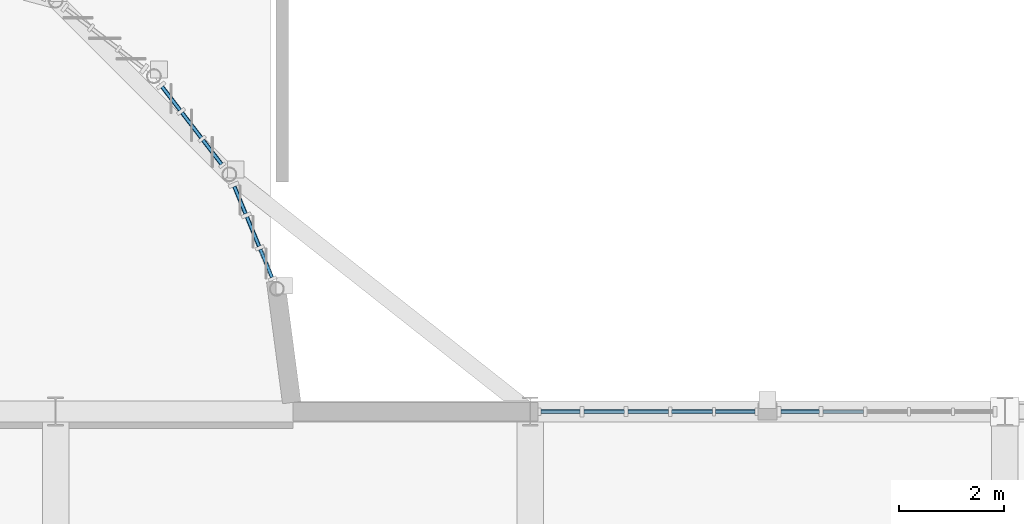
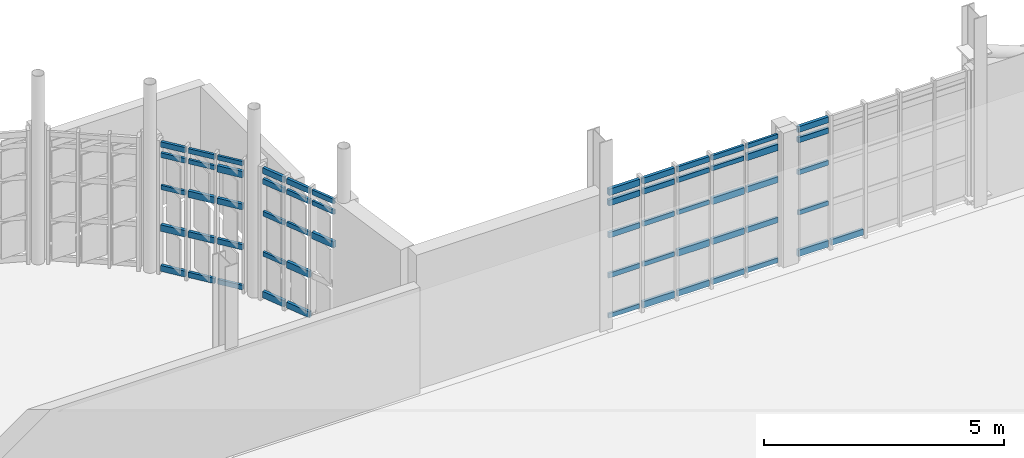
# One storey, part 72 of 128: 59 members, 4 elements without a shape of their own.
"""IFC4 building model written with IfcOpenShell, lengths in metres."""

from ifc_helpers import new_model, si_unit, direction, frame, origin, origin_2d, place, context, subcontext, project, spatial, rectangle, extrude, material, material_profile, profile_set, type_object, element, aggregate, save


model = new_model("IFC4")

# Units and contexts
model_context = context("Model", 3, precision=1e-05, world=origin(), true_north=direction((0.0, 1.0)))
body_context = subcontext(model_context, "Body", "Model", "MODEL_VIEW")
ifc_project = project(units=[si_unit("LENGTHUNIT", "METRE"), si_unit("AREAUNIT", "SQUARE_METRE"), si_unit("VOLUMEUNIT", "CUBIC_METRE"), si_unit("PLANEANGLEUNIT", "RADIAN"), si_unit("MASSUNIT", "GRAM", prefix="KILO")], contexts=[model_context])

# Site, building, storey
site_placement = place(None, origin())
site = spatial("IfcSite", under=ifc_project, at=site_placement, CompositionType="ELEMENT")
building_placement = place(site_placement, origin())
building = spatial("IfcBuilding", under=site, at=building_placement, Name="Serraforn Aerial Cableway Station", CompositionType="ELEMENT")
storey_placement = place(building_placement, frame((0.0, 0.0, 9.0)))
storey = spatial("IfcBuildingStorey", under=building, at=storey_placement, Name="L02", CompositionType="ELEMENT", Elevation=9.0)

# Curtain wall, member
ifc_material_1 = material(Name="Anodised bronze unitised curtain wall")
curtain_wall_type_1 = type_object("IfcCurtainWallType", Name="CW-SYS-25", PredefinedType="USERDEFINED", material=ifc_material_1)
curtain_wall_1_placement = place(storey_placement, origin())
curtain_wall_1 = element("IfcCurtainWall", 1, at=curtain_wall_1_placement, inside=storey, type_object=curtain_wall_type_1, Name="Unitised Curtain Wall CW-CV-L02-N6A", ObjectType="UNITISED CURTAIN WALL", PredefinedType="USERDEFINED")
ifc_material_2 = material(Name="Anodised bronze extruded aluminium", Category="aluminium")
ifc_material_profile_1 = material_profile(ifc_material_2, rectangle(XDim=0.054931640625, YDim=0.110107421875, at=origin_2d()), Name="CW TRANSOM 55x110")
ifc_profile_set_1 = profile_set([ifc_material_profile_1], Name="Anodised bronze extruded aluminium")
member_type_1 = type_object("IfcMemberType", Name="CW-TRN-1", PredefinedType="USERDEFINED", material=ifc_profile_set_1)
member_1_placement = place(storey_placement, frame((78.081298828125, 42.0, 1.162841796875), z_axis=(-1.0, 0.0, 0.0), x_axis=(0.0, -1.0, 0.0)))
member_1 = element("IfcMember", 2, at=member_1_placement, type_object=member_type_1, Name="Curtain Wall Transom CW-CV-L02-N6A-T5-2", ObjectType="TRANSOM", PredefinedType="USERDEFINED", context=body_context, shape_type="SweptSolid", body=[
    extrude(rectangle(XDim=0.054931640625, YDim=0.110107421875, at=origin_2d()), origin(), (0.0, 0.0, 1.0), 0.728271484375),
])

# Curtain wall, members
curtain_wall_type_2 = type_object("IfcCurtainWallType", Name="CW-SYS-26", PredefinedType="USERDEFINED", material=ifc_material_1)
curtain_wall_2_placement = place(storey_placement, origin())
curtain_wall_2 = element("IfcCurtainWall", 3, at=curtain_wall_2_placement, inside=storey, type_object=curtain_wall_type_2, Name="Unitised Curtain Wall CW-CV-L02-N6B", ObjectType="UNITISED CURTAIN WALL", PredefinedType="USERDEFINED")
member_2_placement = place(storey_placement, frame((76.866943359375, 42.0, 3.283203125), z_axis=(-1.0, 0.0, 0.0), x_axis=(0.0, -1.0, 0.0)))
member_2 = element("IfcMember", 4, at=member_2_placement, type_object=member_type_1, Name="Curtain Wall Transom CW-CV-L02-N6B-T1-5", ObjectType="TRANSOM", PredefinedType="USERDEFINED", context=body_context, shape_type="SweptSolid", body=[
    extrude(rectangle(XDim=0.054931640625, YDim=0.110107421875, at=origin_2d()), origin(), (0.0, 0.0, 1.0), 0.75341796875),
])
member_3_placement = place(storey_placement, frame((76.0576171875, 42.0, 3.009521484375), z_axis=(-1.0, 0.0, 0.0), x_axis=(0.0, -1.0, 0.0)))
member_3 = element("IfcMember", 5, at=member_3_placement, type_object=member_type_1, Name="Curtain Wall Transom CW-CV-L02-N6B-T2-4", ObjectType="TRANSOM", PredefinedType="USERDEFINED", context=body_context, shape_type="SweptSolid", body=[
    extrude(rectangle(XDim=0.054931640625, YDim=0.110107421875, at=origin_2d()), origin(), (0.0, 0.0, 1.0), 0.77587890625),
])
member_4_placement = place(storey_placement, frame((75.220703125, 42.0, 2.188720703125), z_axis=(-1.0, 0.0, 0.0), x_axis=(0.0, -1.0, 0.0)))
member_4 = element("IfcMember", 6, at=member_4_placement, type_object=member_type_1, Name="Curtain Wall Transom CW-CV-L02-N6B-T3-3", ObjectType="TRANSOM", PredefinedType="USERDEFINED", context=body_context, shape_type="SweptSolid", body=[
    extrude(rectangle(XDim=0.054931640625, YDim=0.110107421875, at=origin_2d()), origin(), (0.0, 0.0, 1.0), 0.77099609375),
])
member_5_placement = place(storey_placement, frame((74.3837890625, 42.0, 1.162841796875), z_axis=(-1.0, 0.0, 0.0), x_axis=(0.0, -1.0, 0.0)))
member_5 = element("IfcMember", 7, at=member_5_placement, type_object=member_type_1, Name="Curtain Wall Transom CW-CV-L02-N6B-T4-2", ObjectType="TRANSOM", PredefinedType="USERDEFINED", context=body_context, shape_type="SweptSolid", body=[
    extrude(rectangle(XDim=0.054931640625, YDim=0.110107421875, at=origin_2d()), origin(), (0.0, 0.0, 1.0), 0.765869140625),
])
member_6_placement = place(storey_placement, frame((73.546875, 42.0, 0.13671875), z_axis=(-1.0, 0.0, 0.0), x_axis=(0.0, -1.0, 0.0)))
member_6 = element("IfcMember", 8, at=member_6_placement, type_object=member_type_1, Name="Curtain Wall Transom CW-CV-L02-N6B-T5-1", ObjectType="TRANSOM", PredefinedType="USERDEFINED", context=body_context, shape_type="SweptSolid", body=[
    extrude(rectangle(XDim=0.054931640625, YDim=0.110107421875, at=origin_2d()), origin(), (0.0, 0.0, 1.0), 0.745849609375),
])

curtain_wall_type_3 = type_object("IfcCurtainWallType", Name="CW-SYS-13", PredefinedType="USERDEFINED", material=ifc_material_1)
curtain_wall_3_placement = place(storey_placement, origin())
curtain_wall_3 = element("IfcCurtainWall", 9, at=curtain_wall_3_placement, inside=storey, type_object=curtain_wall_type_3, Name="Unitised Curtain Wall CW-AP-L02-R10", ObjectType="UNITISED CURTAIN WALL", PredefinedType="USERDEFINED")
member_7_placement = place(storey_placement, frame((66.74658203125, 46.6923828125, 3.283203125), z_axis=(-0.608849811861, 0.793285513921, 0.0), x_axis=(-0.793285513921, -0.608849811861, 0.0)))
member_7 = element("IfcMember", 10, at=member_7_placement, type_object=member_type_1, Name="Curtain Wall Transom CW-AP-L02-R10-T1-5", ObjectType="TRANSOM", PredefinedType="USERDEFINED", context=body_context, shape_type="SweptSolid", body=[
    extrude(rectangle(XDim=0.054931640625, YDim=0.110107421875, at=origin_2d()), origin(), (0.0, 0.0, 1.0), 0.575927734375),
])
member_8_placement = place(storey_placement, frame((66.362060546875, 47.193603515625, 3.009521484375), z_axis=(-0.608645625483, 0.793442186035, 0.0), x_axis=(-0.793442186035, -0.608645625483, 0.0)))
member_8 = element("IfcMember", 11, at=member_8_placement, type_object=member_type_1, Name="Curtain Wall Transom CW-AP-L02-R10-T2-4", ObjectType="TRANSOM", PredefinedType="USERDEFINED", context=body_context, shape_type="SweptSolid", body=[
    extrude(rectangle(XDim=0.054931640625, YDim=0.110107421875, at=origin_2d()), origin(), (0.0, 0.0, 1.0), 0.598388671875),
])
member_9_placement = place(storey_placement, frame((65.960693359375, 47.716796875, 2.188720703125), z_axis=(-0.608844372557, 0.793289688579, 0.0), x_axis=(-0.793289688579, -0.608844372557, 0.0)))
member_9 = element("IfcMember", 12, at=member_9_placement, type_object=member_type_1, Name="Curtain Wall Transom CW-AP-L02-R10-T3-3", ObjectType="TRANSOM", PredefinedType="USERDEFINED", context=body_context, shape_type="SweptSolid", body=[
    extrude(rectangle(XDim=0.054931640625, YDim=0.110107421875, at=origin_2d()), origin(), (0.0, 0.0, 1.0), 0.55859375),
])

curtain_wall_type_4 = type_object("IfcCurtainWallType", Name="CW-SYS-14", PredefinedType="USERDEFINED", material=ifc_material_1)
curtain_wall_4_placement = place(storey_placement, origin())
curtain_wall_4 = element("IfcCurtainWall", 13, at=curtain_wall_4_placement, inside=storey, type_object=curtain_wall_type_4, Name="Unitised Curtain Wall CW-AP-L02-R11", ObjectType="UNITISED CURTAIN WALL", PredefinedType="USERDEFINED")
member_10_placement = place(storey_placement, frame((67.70361328125, 44.5458984375, 3.009521484375), z_axis=(-0.382451436446, 0.923975594245, 0.0), x_axis=(-0.923975594245, -0.382451436446, 0.0)))
member_10 = element("IfcMember", 14, at=member_10_placement, type_object=member_type_1, Name="Curtain Wall Transom CW-AP-L02-R11-T1-4", ObjectType="TRANSOM", PredefinedType="USERDEFINED", context=body_context, shape_type="SweptSolid", body=[
    extrude(rectangle(XDim=0.054931640625, YDim=0.110107421875, at=origin_2d()), origin(), (0.0, 0.0, 1.0), 0.5771484375),
])
member_11_placement = place(storey_placement, frame((67.45947265625, 45.135498046875, 2.188720703125), z_axis=(-0.382829331373, 0.923819085666, 0.0), x_axis=(-0.923819085666, -0.382829331373, 0.0)))
member_11 = element("IfcMember", 15, at=member_11_placement, type_object=member_type_1, Name="Curtain Wall Transom CW-AP-L02-R11-T2-3", ObjectType="TRANSOM", PredefinedType="USERDEFINED", context=body_context, shape_type="SweptSolid", body=[
    extrude(rectangle(XDim=0.054931640625, YDim=0.110107421875, at=origin_2d()), origin(), (0.0, 0.0, 1.0), 0.60205078125),
])
member_12_placement = place(storey_placement, frame((67.203857421875, 45.752685546875, 1.162841796875), z_axis=(-0.382942403136, 0.923772220778, 0.0), x_axis=(-0.923772220778, -0.382942403136, 0.0)))
member_12 = element("IfcMember", 16, at=member_12_placement, type_object=member_type_1, Name="Curtain Wall Transom CW-AP-L02-R11-T3-2", ObjectType="TRANSOM", PredefinedType="USERDEFINED", context=body_context, shape_type="SweptSolid", body=[
    extrude(rectangle(XDim=0.054931640625, YDim=0.110107421875, at=origin_2d()), origin(), (0.0, 0.0, 1.0), 0.559814453125),
])

# Member
ifc_material_profile_2 = material_profile(ifc_material_2, rectangle(XDim=0.06005859375, YDim=0.1201171875, at=origin_2d()), Name="CW TRANSOM 60x120")
ifc_profile_set_2 = profile_set([ifc_material_profile_2], Name="Anodised bronze extruded aluminium")
member_type_2 = type_object("IfcMemberType", Name="CW-TRN-2", PredefinedType="USERDEFINED", material=ifc_profile_set_2)
member_13_placement = place(storey_placement, frame((78.081298828125, 42.0, 2.188720703125), z_axis=(-1.0, 0.0, 0.0), x_axis=(0.0, -1.0, 0.0)))
member_13 = element("IfcMember", 17, at=member_13_placement, type_object=member_type_2, Name="Curtain Wall Transom CW-CV-L02-N6A-T5-3", ObjectType="TRANSOM", PredefinedType="USERDEFINED", context=body_context, shape_type="SweptSolid", body=[
    extrude(rectangle(XDim=0.06005859375, YDim=0.1201171875, at=origin_2d()), origin(), (0.0, 0.0, 1.0), 0.728271484375),
])

member_14_placement = place(storey_placement, frame((76.866943359375, 42.0, 0.13671875), z_axis=(-1.0, 0.0, 0.0), x_axis=(0.0, -1.0, 0.0)))
member_14 = element("IfcMember", 18, at=member_14_placement, type_object=member_type_2, Name="Curtain Wall Transom CW-CV-L02-N6B-T1-1", ObjectType="TRANSOM", PredefinedType="USERDEFINED", context=body_context, shape_type="SweptSolid", body=[
    extrude(rectangle(XDim=0.06005859375, YDim=0.1201171875, at=origin_2d()), origin(), (0.0, 0.0, 1.0), 0.75341796875),
])

member_15_placement = place(storey_placement, frame((76.0576171875, 42.0, 3.283203125), z_axis=(-1.0, 0.0, 0.0), x_axis=(0.0, -1.0, 0.0)))
member_15 = element("IfcMember", 19, at=member_15_placement, type_object=member_type_2, Name="Curtain Wall Transom CW-CV-L02-N6B-T2-5", ObjectType="TRANSOM", PredefinedType="USERDEFINED", context=body_context, shape_type="SweptSolid", body=[
    extrude(rectangle(XDim=0.06005859375, YDim=0.1201171875, at=origin_2d()), origin(), (0.0, 0.0, 1.0), 0.77587890625),
])

member_16_placement = place(storey_placement, frame((75.220703125, 42.0, 3.009521484375), z_axis=(-1.0, 0.0, 0.0), x_axis=(0.0, -1.0, 0.0)))
member_16 = element("IfcMember", 20, at=member_16_placement, type_object=member_type_2, Name="Curtain Wall Transom CW-CV-L02-N6B-T3-4", ObjectType="TRANSOM", PredefinedType="USERDEFINED", context=body_context, shape_type="SweptSolid", body=[
    extrude(rectangle(XDim=0.06005859375, YDim=0.1201171875, at=origin_2d()), origin(), (0.0, 0.0, 1.0), 0.77099609375),
])

member_17_placement = place(storey_placement, frame((74.3837890625, 42.0, 2.188720703125), z_axis=(-1.0, 0.0, 0.0), x_axis=(0.0, -1.0, 0.0)))
member_17 = element("IfcMember", 21, at=member_17_placement, type_object=member_type_2, Name="Curtain Wall Transom CW-CV-L02-N6B-T4-3", ObjectType="TRANSOM", PredefinedType="USERDEFINED", context=body_context, shape_type="SweptSolid", body=[
    extrude(rectangle(XDim=0.06005859375, YDim=0.1201171875, at=origin_2d()), origin(), (0.0, 0.0, 1.0), 0.765869140625),
])

member_18_placement = place(storey_placement, frame((73.546875, 42.0, 1.162841796875), z_axis=(-1.0, 0.0, 0.0), x_axis=(0.0, -1.0, 0.0)))
member_18 = element("IfcMember", 22, at=member_18_placement, type_object=member_type_2, Name="Curtain Wall Transom CW-CV-L02-N6B-T5-2", ObjectType="TRANSOM", PredefinedType="USERDEFINED", context=body_context, shape_type="SweptSolid", body=[
    extrude(rectangle(XDim=0.06005859375, YDim=0.1201171875, at=origin_2d()), origin(), (0.0, 0.0, 1.0), 0.745849609375),
])

member_19_placement = place(storey_placement, frame((66.74658203125, 46.6923828125, 0.13671875), z_axis=(-0.608849811861, 0.793285513921, 0.0), x_axis=(-0.793285513921, -0.608849811861, 0.0)))
member_19 = element("IfcMember", 23, at=member_19_placement, type_object=member_type_2, Name="Curtain Wall Transom CW-AP-L02-R10-T1-1", ObjectType="TRANSOM", PredefinedType="USERDEFINED", context=body_context, shape_type="SweptSolid", body=[
    extrude(rectangle(XDim=0.06005859375, YDim=0.1201171875, at=origin_2d()), origin(), (0.0, 0.0, 1.0), 0.575927734375),
])

member_20_placement = place(storey_placement, frame((66.362060546875, 47.193603515625, 3.283203125), z_axis=(-0.608645625483, 0.793442186035, 0.0), x_axis=(-0.793442186035, -0.608645625483, 0.0)))
member_20 = element("IfcMember", 24, at=member_20_placement, type_object=member_type_2, Name="Curtain Wall Transom CW-AP-L02-R10-T2-5", ObjectType="TRANSOM", PredefinedType="USERDEFINED", context=body_context, shape_type="SweptSolid", body=[
    extrude(rectangle(XDim=0.06005859375, YDim=0.1201171875, at=origin_2d()), origin(), (0.0, 0.0, 1.0), 0.598388671875),
])

member_21_placement = place(storey_placement, frame((65.960693359375, 47.716796875, 3.009521484375), z_axis=(-0.608844372557, 0.793289688579, 0.0), x_axis=(-0.793289688579, -0.608844372557, 0.0)))
member_21 = element("IfcMember", 25, at=member_21_placement, type_object=member_type_2, Name="Curtain Wall Transom CW-AP-L02-R10-T3-4", ObjectType="TRANSOM", PredefinedType="USERDEFINED", context=body_context, shape_type="SweptSolid", body=[
    extrude(rectangle(XDim=0.06005859375, YDim=0.1201171875, at=origin_2d()), origin(), (0.0, 0.0, 1.0), 0.55859375),
])

member_22_placement = place(storey_placement, frame((67.70361328125, 44.5458984375, 3.283203125), z_axis=(-0.382451436446, 0.923975594245, 0.0), x_axis=(-0.923975594245, -0.382451436446, 0.0)))
member_22 = element("IfcMember", 26, at=member_22_placement, type_object=member_type_2, Name="Curtain Wall Transom CW-AP-L02-R11-T1-5", ObjectType="TRANSOM", PredefinedType="USERDEFINED", context=body_context, shape_type="SweptSolid", body=[
    extrude(rectangle(XDim=0.06005859375, YDim=0.1201171875, at=origin_2d()), origin(), (0.0, 0.0, 1.0), 0.5771484375),
])

member_23_placement = place(storey_placement, frame((67.45947265625, 45.135498046875, 3.009521484375), z_axis=(-0.382829331373, 0.923819085666, 0.0), x_axis=(-0.923819085666, -0.382829331373, 0.0)))
member_23 = element("IfcMember", 27, at=member_23_placement, type_object=member_type_2, Name="Curtain Wall Transom CW-AP-L02-R11-T2-4", ObjectType="TRANSOM", PredefinedType="USERDEFINED", context=body_context, shape_type="SweptSolid", body=[
    extrude(rectangle(XDim=0.06005859375, YDim=0.1201171875, at=origin_2d()), origin(), (0.0, 0.0, 1.0), 0.60205078125),
])

member_24_placement = place(storey_placement, frame((67.203857421875, 45.752685546875, 2.188720703125), z_axis=(-0.382942403136, 0.923772220778, 0.0), x_axis=(-0.923772220778, -0.382942403136, 0.0)))
member_24 = element("IfcMember", 28, at=member_24_placement, type_object=member_type_2, Name="Curtain Wall Transom CW-AP-L02-R11-T3-3", ObjectType="TRANSOM", PredefinedType="USERDEFINED", context=body_context, shape_type="SweptSolid", body=[
    extrude(rectangle(XDim=0.06005859375, YDim=0.1201171875, at=origin_2d()), origin(), (0.0, 0.0, 1.0), 0.559814453125),
])

ifc_material_profile_3 = material_profile(ifc_material_2, rectangle(XDim=0.06494140625, YDim=0.135009765625, at=origin_2d()), Name="CW TRANSOM 65x135")
ifc_profile_set_3 = profile_set([ifc_material_profile_3], Name="Anodised bronze extruded aluminium")
member_type_3 = type_object("IfcMemberType", Name="CW-TRN-3", PredefinedType="USERDEFINED", material=ifc_profile_set_3)
member_25_placement = place(storey_placement, frame((78.081298828125, 42.0, 3.009521484375), z_axis=(-1.0, 0.0, 0.0), x_axis=(0.0, -1.0, 0.0)))
member_25 = element("IfcMember", 29, at=member_25_placement, type_object=member_type_3, Name="Curtain Wall Transom CW-CV-L02-N6A-T5-4", ObjectType="TRANSOM", PredefinedType="USERDEFINED", context=body_context, shape_type="SweptSolid", body=[
    extrude(rectangle(XDim=0.06494140625, YDim=0.135009765625, at=origin_2d()), origin(), (0.0, 0.0, 1.0), 0.728271484375),
])

member_26_placement = place(storey_placement, frame((76.866943359375, 42.0, 1.162841796875), z_axis=(-1.0, 0.0, 0.0), x_axis=(0.0, -1.0, 0.0)))
member_26 = element("IfcMember", 30, at=member_26_placement, type_object=member_type_3, Name="Curtain Wall Transom CW-CV-L02-N6B-T1-2", ObjectType="TRANSOM", PredefinedType="USERDEFINED", context=body_context, shape_type="SweptSolid", body=[
    extrude(rectangle(XDim=0.06494140625, YDim=0.135009765625, at=origin_2d()), origin(), (0.0, 0.0, 1.0), 0.75341796875),
])

member_27_placement = place(storey_placement, frame((76.0576171875, 42.0, 0.13671875), z_axis=(-1.0, 0.0, 0.0), x_axis=(0.0, -1.0, 0.0)))
member_27 = element("IfcMember", 31, at=member_27_placement, type_object=member_type_3, Name="Curtain Wall Transom CW-CV-L02-N6B-T2-1", ObjectType="TRANSOM", PredefinedType="USERDEFINED", context=body_context, shape_type="SweptSolid", body=[
    extrude(rectangle(XDim=0.06494140625, YDim=0.135009765625, at=origin_2d()), origin(), (0.0, 0.0, 1.0), 0.77587890625),
])

member_28_placement = place(storey_placement, frame((75.220703125, 42.0, 3.283203125), z_axis=(-1.0, 0.0, 0.0), x_axis=(0.0, -1.0, 0.0)))
member_28 = element("IfcMember", 32, at=member_28_placement, type_object=member_type_3, Name="Curtain Wall Transom CW-CV-L02-N6B-T3-5", ObjectType="TRANSOM", PredefinedType="USERDEFINED", context=body_context, shape_type="SweptSolid", body=[
    extrude(rectangle(XDim=0.06494140625, YDim=0.135009765625, at=origin_2d()), origin(), (0.0, 0.0, 1.0), 0.77099609375),
])

member_29_placement = place(storey_placement, frame((74.3837890625, 42.0, 3.009521484375), z_axis=(-1.0, 0.0, 0.0), x_axis=(0.0, -1.0, 0.0)))
member_29 = element("IfcMember", 33, at=member_29_placement, type_object=member_type_3, Name="Curtain Wall Transom CW-CV-L02-N6B-T4-4", ObjectType="TRANSOM", PredefinedType="USERDEFINED", context=body_context, shape_type="SweptSolid", body=[
    extrude(rectangle(XDim=0.06494140625, YDim=0.135009765625, at=origin_2d()), origin(), (0.0, 0.0, 1.0), 0.765869140625),
])

member_30_placement = place(storey_placement, frame((73.546875, 42.0, 2.188720703125), z_axis=(-1.0, 0.0, 0.0), x_axis=(0.0, -1.0, 0.0)))
member_30 = element("IfcMember", 34, at=member_30_placement, type_object=member_type_3, Name="Curtain Wall Transom CW-CV-L02-N6B-T5-3", ObjectType="TRANSOM", PredefinedType="USERDEFINED", context=body_context, shape_type="SweptSolid", body=[
    extrude(rectangle(XDim=0.06494140625, YDim=0.135009765625, at=origin_2d()), origin(), (0.0, 0.0, 1.0), 0.745849609375),
])

member_31_placement = place(storey_placement, frame((66.74658203125, 46.6923828125, 1.162841796875), z_axis=(-0.608849811861, 0.793285513921, 0.0), x_axis=(-0.793285513921, -0.608849811861, 0.0)))
member_31 = element("IfcMember", 35, at=member_31_placement, type_object=member_type_3, Name="Curtain Wall Transom CW-AP-L02-R10-T1-2", ObjectType="TRANSOM", PredefinedType="USERDEFINED", context=body_context, shape_type="SweptSolid", body=[
    extrude(rectangle(XDim=0.06494140625, YDim=0.135009765625, at=origin_2d()), origin(), (0.0, 0.0, 1.0), 0.575927734375),
])

member_32_placement = place(storey_placement, frame((66.362060546875, 47.193603515625, 0.13671875), z_axis=(-0.608645625483, 0.793442186035, 0.0), x_axis=(-0.793442186035, -0.608645625483, 0.0)))
member_32 = element("IfcMember", 36, at=member_32_placement, type_object=member_type_3, Name="Curtain Wall Transom CW-AP-L02-R10-T2-1", ObjectType="TRANSOM", PredefinedType="USERDEFINED", context=body_context, shape_type="SweptSolid", body=[
    extrude(rectangle(XDim=0.06494140625, YDim=0.135009765625, at=origin_2d()), origin(), (0.0, 0.0, 1.0), 0.598388671875),
])

member_33_placement = place(storey_placement, frame((65.960693359375, 47.716796875, 3.283203125), z_axis=(-0.608844372557, 0.793289688579, 0.0), x_axis=(-0.793289688579, -0.608844372557, 0.0)))
member_33 = element("IfcMember", 37, at=member_33_placement, type_object=member_type_3, Name="Curtain Wall Transom CW-AP-L02-R10-T3-5", ObjectType="TRANSOM", PredefinedType="USERDEFINED", context=body_context, shape_type="SweptSolid", body=[
    extrude(rectangle(XDim=0.06494140625, YDim=0.135009765625, at=origin_2d()), origin(), (0.0, 0.0, 1.0), 0.55859375),
])

member_34_placement = place(storey_placement, frame((67.45947265625, 45.135498046875, 3.283203125), z_axis=(-0.382829331373, 0.923819085666, 0.0), x_axis=(-0.923819085666, -0.382829331373, 0.0)))
member_34 = element("IfcMember", 38, at=member_34_placement, type_object=member_type_3, Name="Curtain Wall Transom CW-AP-L02-R11-T2-5", ObjectType="TRANSOM", PredefinedType="USERDEFINED", context=body_context, shape_type="SweptSolid", body=[
    extrude(rectangle(XDim=0.06494140625, YDim=0.135009765625, at=origin_2d()), origin(), (0.0, 0.0, 1.0), 0.60205078125),
])

member_35_placement = place(storey_placement, frame((67.203857421875, 45.752685546875, 3.009521484375), z_axis=(-0.382942403136, 0.923772220778, 0.0), x_axis=(-0.923772220778, -0.382942403136, 0.0)))
member_35 = element("IfcMember", 39, at=member_35_placement, type_object=member_type_3, Name="Curtain Wall Transom CW-AP-L02-R11-T3-4", ObjectType="TRANSOM", PredefinedType="USERDEFINED", context=body_context, shape_type="SweptSolid", body=[
    extrude(rectangle(XDim=0.06494140625, YDim=0.135009765625, at=origin_2d()), origin(), (0.0, 0.0, 1.0), 0.559814453125),
])

ifc_material_profile_4 = material_profile(ifc_material_2, rectangle(XDim=0.070068359375, YDim=0.14990234375, at=origin_2d()), Name="CW TRANSOM 70x150")
ifc_profile_set_4 = profile_set([ifc_material_profile_4], Name="Anodised bronze extruded aluminium")
member_type_4 = type_object("IfcMemberType", Name="CW-TRN-4", PredefinedType="USERDEFINED", material=ifc_profile_set_4)
member_36_placement = place(storey_placement, frame((78.918212890625, 42.0, 0.13671875), z_axis=(-1.0, 0.0, 0.0), x_axis=(0.0, -1.0, 0.0)))
member_36 = element("IfcMember", 40, at=member_36_placement, type_object=member_type_4, Name="Curtain Wall Transom CW-CV-L02-N6A-T4-1", ObjectType="TRANSOM", PredefinedType="USERDEFINED", context=body_context, shape_type="SweptSolid", body=[
    extrude(rectangle(XDim=0.070068359375, YDim=0.14990234375, at=origin_2d()), origin(), (0.0, 0.0, 1.0), 0.770751953125),
])

member_37_placement = place(storey_placement, frame((78.081298828125, 42.0, 3.283203125), z_axis=(-1.0, 0.0, 0.0), x_axis=(0.0, -1.0, 0.0)))
member_37 = element("IfcMember", 41, at=member_37_placement, type_object=member_type_4, Name="Curtain Wall Transom CW-CV-L02-N6A-T5-5", ObjectType="TRANSOM", PredefinedType="USERDEFINED", context=body_context, shape_type="SweptSolid", body=[
    extrude(rectangle(XDim=0.070068359375, YDim=0.14990234375, at=origin_2d()), origin(), (0.0, 0.0, 1.0), 0.728271484375),
])

member_38_placement = place(storey_placement, frame((76.866943359375, 42.0, 2.188720703125), z_axis=(-1.0, 0.0, 0.0), x_axis=(0.0, -1.0, 0.0)))
member_38 = element("IfcMember", 42, at=member_38_placement, type_object=member_type_4, Name="Curtain Wall Transom CW-CV-L02-N6B-T1-3", ObjectType="TRANSOM", PredefinedType="USERDEFINED", context=body_context, shape_type="SweptSolid", body=[
    extrude(rectangle(XDim=0.070068359375, YDim=0.14990234375, at=origin_2d()), origin(), (0.0, 0.0, 1.0), 0.75341796875),
])

member_39_placement = place(storey_placement, frame((76.0576171875, 42.0, 1.162841796875), z_axis=(-1.0, 0.0, 0.0), x_axis=(0.0, -1.0, 0.0)))
member_39 = element("IfcMember", 43, at=member_39_placement, type_object=member_type_4, Name="Curtain Wall Transom CW-CV-L02-N6B-T2-2", ObjectType="TRANSOM", PredefinedType="USERDEFINED", context=body_context, shape_type="SweptSolid", body=[
    extrude(rectangle(XDim=0.070068359375, YDim=0.14990234375, at=origin_2d()), origin(), (0.0, 0.0, 1.0), 0.77587890625),
])

member_40_placement = place(storey_placement, frame((75.220703125, 42.0, 0.13671875), z_axis=(-1.0, 0.0, 0.0), x_axis=(0.0, -1.0, 0.0)))
member_40 = element("IfcMember", 44, at=member_40_placement, type_object=member_type_4, Name="Curtain Wall Transom CW-CV-L02-N6B-T3-1", ObjectType="TRANSOM", PredefinedType="USERDEFINED", context=body_context, shape_type="SweptSolid", body=[
    extrude(rectangle(XDim=0.070068359375, YDim=0.14990234375, at=origin_2d()), origin(), (0.0, 0.0, 1.0), 0.77099609375),
])

member_41_placement = place(storey_placement, frame((74.3837890625, 42.0, 3.283203125), z_axis=(-1.0, 0.0, 0.0), x_axis=(0.0, -1.0, 0.0)))
member_41 = element("IfcMember", 45, at=member_41_placement, type_object=member_type_4, Name="Curtain Wall Transom CW-CV-L02-N6B-T4-5", ObjectType="TRANSOM", PredefinedType="USERDEFINED", context=body_context, shape_type="SweptSolid", body=[
    extrude(rectangle(XDim=0.070068359375, YDim=0.14990234375, at=origin_2d()), origin(), (0.0, 0.0, 1.0), 0.765869140625),
])

member_42_placement = place(storey_placement, frame((73.546875, 42.0, 3.009521484375), z_axis=(-1.0, 0.0, 0.0), x_axis=(0.0, -1.0, 0.0)))
member_42 = element("IfcMember", 46, at=member_42_placement, type_object=member_type_4, Name="Curtain Wall Transom CW-CV-L02-N6B-T5-4", ObjectType="TRANSOM", PredefinedType="USERDEFINED", context=body_context, shape_type="SweptSolid", body=[
    extrude(rectangle(XDim=0.070068359375, YDim=0.14990234375, at=origin_2d()), origin(), (0.0, 0.0, 1.0), 0.745849609375),
])

member_43_placement = place(storey_placement, frame((66.74658203125, 46.6923828125, 2.188720703125), z_axis=(-0.608849811861, 0.793285513921, 0.0), x_axis=(-0.793285513921, -0.608849811861, 0.0)))
member_43 = element("IfcMember", 47, at=member_43_placement, type_object=member_type_4, Name="Curtain Wall Transom CW-AP-L02-R10-T1-3", ObjectType="TRANSOM", PredefinedType="USERDEFINED", context=body_context, shape_type="SweptSolid", body=[
    extrude(rectangle(XDim=0.070068359375, YDim=0.14990234375, at=origin_2d()), origin(), (0.0, 0.0, 1.0), 0.575927734375),
])

member_44_placement = place(storey_placement, frame((66.362060546875, 47.193603515625, 1.162841796875), z_axis=(-0.608645625483, 0.793442186035, 0.0), x_axis=(-0.793442186035, -0.608645625483, 0.0)))
member_44 = element("IfcMember", 48, at=member_44_placement, type_object=member_type_4, Name="Curtain Wall Transom CW-AP-L02-R10-T2-2", ObjectType="TRANSOM", PredefinedType="USERDEFINED", context=body_context, shape_type="SweptSolid", body=[
    extrude(rectangle(XDim=0.070068359375, YDim=0.14990234375, at=origin_2d()), origin(), (0.0, 0.0, 1.0), 0.598388671875),
])

member_45_placement = place(storey_placement, frame((65.960693359375, 47.716796875, 0.13671875), z_axis=(-0.608844372557, 0.793289688579, 0.0), x_axis=(-0.793289688579, -0.608844372557, 0.0)))
member_45 = element("IfcMember", 49, at=member_45_placement, type_object=member_type_4, Name="Curtain Wall Transom CW-AP-L02-R10-T3-1", ObjectType="TRANSOM", PredefinedType="USERDEFINED", context=body_context, shape_type="SweptSolid", body=[
    extrude(rectangle(XDim=0.070068359375, YDim=0.14990234375, at=origin_2d()), origin(), (0.0, 0.0, 1.0), 0.55859375),
])

member_46_placement = place(storey_placement, frame((67.45947265625, 45.135498046875, 0.13671875), z_axis=(-0.382829331373, 0.923819085666, 0.0), x_axis=(-0.923819085666, -0.382829331373, 0.0)))
member_46 = element("IfcMember", 50, at=member_46_placement, type_object=member_type_4, Name="Curtain Wall Transom CW-AP-L02-R11-T2-1", ObjectType="TRANSOM", PredefinedType="USERDEFINED", context=body_context, shape_type="SweptSolid", body=[
    extrude(rectangle(XDim=0.070068359375, YDim=0.14990234375, at=origin_2d()), origin(), (0.0, 0.0, 1.0), 0.60205078125),
])

member_47_placement = place(storey_placement, frame((67.203857421875, 45.752685546875, 3.283203125), z_axis=(-0.382942403136, 0.923772220778, 0.0), x_axis=(-0.923772220778, -0.382942403136, 0.0)))
member_47 = element("IfcMember", 51, at=member_47_placement, type_object=member_type_4, Name="Curtain Wall Transom CW-AP-L02-R11-T3-5", ObjectType="TRANSOM", PredefinedType="USERDEFINED", context=body_context, shape_type="SweptSolid", body=[
    extrude(rectangle(XDim=0.070068359375, YDim=0.14990234375, at=origin_2d()), origin(), (0.0, 0.0, 1.0), 0.559814453125),
])

ifc_material_profile_5 = material_profile(ifc_material_2, rectangle(XDim=0.074951171875, YDim=0.1650390625, at=origin_2d()), Name="CW TRANSOM 75x165")
ifc_profile_set_5 = profile_set([ifc_material_profile_5], Name="Anodised bronze extruded aluminium")
member_type_5 = type_object("IfcMemberType", Name="CW-TRN-5", PredefinedType="USERDEFINED", material=ifc_profile_set_5)
member_48_placement = place(storey_placement, frame((78.081298828125, 42.0, 0.13671875), z_axis=(-1.0, 0.0, 0.0), x_axis=(0.0, -1.0, 0.0)))
member_48 = element("IfcMember", 52, at=member_48_placement, type_object=member_type_5, Name="Curtain Wall Transom CW-CV-L02-N6A-T5-1", ObjectType="TRANSOM", PredefinedType="USERDEFINED", context=body_context, shape_type="SweptSolid", body=[
    extrude(rectangle(XDim=0.074951171875, YDim=0.1650390625, at=origin_2d()), origin(), (0.0, 0.0, 1.0), 0.728271484375),
])

aggregate(curtain_wall_1, [member_36, member_48, member_1, member_13, member_25, member_37])

member_49_placement = place(storey_placement, frame((76.866943359375, 42.0, 3.009521484375), z_axis=(-1.0, 0.0, 0.0), x_axis=(0.0, -1.0, 0.0)))
member_49 = element("IfcMember", 53, at=member_49_placement, type_object=member_type_5, Name="Curtain Wall Transom CW-CV-L02-N6B-T1-4", ObjectType="TRANSOM", PredefinedType="USERDEFINED", context=body_context, shape_type="SweptSolid", body=[
    extrude(rectangle(XDim=0.074951171875, YDim=0.1650390625, at=origin_2d()), origin(), (0.0, 0.0, 1.0), 0.75341796875),
])

member_50_placement = place(storey_placement, frame((76.0576171875, 42.0, 2.188720703125), z_axis=(-1.0, 0.0, 0.0), x_axis=(0.0, -1.0, 0.0)))
member_50 = element("IfcMember", 54, at=member_50_placement, type_object=member_type_5, Name="Curtain Wall Transom CW-CV-L02-N6B-T2-3", ObjectType="TRANSOM", PredefinedType="USERDEFINED", context=body_context, shape_type="SweptSolid", body=[
    extrude(rectangle(XDim=0.074951171875, YDim=0.1650390625, at=origin_2d()), origin(), (0.0, 0.0, 1.0), 0.77587890625),
])

member_51_placement = place(storey_placement, frame((75.220703125, 42.0, 1.162841796875), z_axis=(-1.0, 0.0, 0.0), x_axis=(0.0, -1.0, 0.0)))
member_51 = element("IfcMember", 55, at=member_51_placement, type_object=member_type_5, Name="Curtain Wall Transom CW-CV-L02-N6B-T3-2", ObjectType="TRANSOM", PredefinedType="USERDEFINED", context=body_context, shape_type="SweptSolid", body=[
    extrude(rectangle(XDim=0.074951171875, YDim=0.1650390625, at=origin_2d()), origin(), (0.0, 0.0, 1.0), 0.77099609375),
])

member_52_placement = place(storey_placement, frame((74.3837890625, 42.0, 0.13671875), z_axis=(-1.0, 0.0, 0.0), x_axis=(0.0, -1.0, 0.0)))
member_52 = element("IfcMember", 56, at=member_52_placement, type_object=member_type_5, Name="Curtain Wall Transom CW-CV-L02-N6B-T4-1", ObjectType="TRANSOM", PredefinedType="USERDEFINED", context=body_context, shape_type="SweptSolid", body=[
    extrude(rectangle(XDim=0.074951171875, YDim=0.1650390625, at=origin_2d()), origin(), (0.0, 0.0, 1.0), 0.765869140625),
])

member_53_placement = place(storey_placement, frame((73.546875, 42.0, 3.283203125), z_axis=(-1.0, 0.0, 0.0), x_axis=(0.0, -1.0, 0.0)))
member_53 = element("IfcMember", 57, at=member_53_placement, type_object=member_type_5, Name="Curtain Wall Transom CW-CV-L02-N6B-T5-5", ObjectType="TRANSOM", PredefinedType="USERDEFINED", context=body_context, shape_type="SweptSolid", body=[
    extrude(rectangle(XDim=0.074951171875, YDim=0.1650390625, at=origin_2d()), origin(), (0.0, 0.0, 1.0), 0.745849609375),
])

aggregate(curtain_wall_2, [member_14, member_26, member_38, member_49, member_2, member_27, member_39, member_50, member_3, member_15, member_40, member_51, member_4, member_16, member_28, member_52, member_5, member_17, member_29, member_41, member_6, member_18, member_30, member_42, member_53])

member_54_placement = place(storey_placement, frame((66.74658203125, 46.6923828125, 3.009521484375), z_axis=(-0.608849811861, 0.793285513921, 0.0), x_axis=(-0.793285513921, -0.608849811861, 0.0)))
member_54 = element("IfcMember", 58, at=member_54_placement, type_object=member_type_5, Name="Curtain Wall Transom CW-AP-L02-R10-T1-4", ObjectType="TRANSOM", PredefinedType="USERDEFINED", context=body_context, shape_type="SweptSolid", body=[
    extrude(rectangle(XDim=0.074951171875, YDim=0.1650390625, at=origin_2d()), origin(), (0.0, 0.0, 1.0), 0.575927734375),
])

member_55_placement = place(storey_placement, frame((66.362060546875, 47.193603515625, 2.188720703125), z_axis=(-0.608645625483, 0.793442186035, 0.0), x_axis=(-0.793442186035, -0.608645625483, 0.0)))
member_55 = element("IfcMember", 59, at=member_55_placement, type_object=member_type_5, Name="Curtain Wall Transom CW-AP-L02-R10-T2-3", ObjectType="TRANSOM", PredefinedType="USERDEFINED", context=body_context, shape_type="SweptSolid", body=[
    extrude(rectangle(XDim=0.074951171875, YDim=0.1650390625, at=origin_2d()), origin(), (0.0, 0.0, 1.0), 0.598388671875),
])

member_56_placement = place(storey_placement, frame((65.960693359375, 47.716796875, 1.162841796875), z_axis=(-0.608844372557, 0.793289688579, 0.0), x_axis=(-0.793289688579, -0.608844372557, 0.0)))
member_56 = element("IfcMember", 60, at=member_56_placement, type_object=member_type_5, Name="Curtain Wall Transom CW-AP-L02-R10-T3-2", ObjectType="TRANSOM", PredefinedType="USERDEFINED", context=body_context, shape_type="SweptSolid", body=[
    extrude(rectangle(XDim=0.074951171875, YDim=0.1650390625, at=origin_2d()), origin(), (0.0, 0.0, 1.0), 0.55859375),
])

aggregate(curtain_wall_3, [member_19, member_31, member_43, member_54, member_7, member_32, member_44, member_55, member_8, member_20, member_45, member_56, member_9, member_21, member_33])

member_57_placement = place(storey_placement, frame((67.70361328125, 44.5458984375, 2.188720703125), z_axis=(-0.382451436446, 0.923975594245, 0.0), x_axis=(-0.923975594245, -0.382451436446, 0.0)))
member_57 = element("IfcMember", 61, at=member_57_placement, type_object=member_type_5, Name="Curtain Wall Transom CW-AP-L02-R11-T1-3", ObjectType="TRANSOM", PredefinedType="USERDEFINED", context=body_context, shape_type="SweptSolid", body=[
    extrude(rectangle(XDim=0.074951171875, YDim=0.1650390625, at=origin_2d()), origin(), (0.0, 0.0, 1.0), 0.5771484375),
])

member_58_placement = place(storey_placement, frame((67.45947265625, 45.135498046875, 1.162841796875), z_axis=(-0.382829331373, 0.923819085666, 0.0), x_axis=(-0.923819085666, -0.382829331373, 0.0)))
member_58 = element("IfcMember", 62, at=member_58_placement, type_object=member_type_5, Name="Curtain Wall Transom CW-AP-L02-R11-T2-2", ObjectType="TRANSOM", PredefinedType="USERDEFINED", context=body_context, shape_type="SweptSolid", body=[
    extrude(rectangle(XDim=0.074951171875, YDim=0.1650390625, at=origin_2d()), origin(), (0.0, 0.0, 1.0), 0.60205078125),
])

member_59_placement = place(storey_placement, frame((67.203857421875, 45.752685546875, 0.13671875), z_axis=(-0.382942403136, 0.923772220778, 0.0), x_axis=(-0.923772220778, -0.382942403136, 0.0)))
member_59 = element("IfcMember", 63, at=member_59_placement, type_object=member_type_5, Name="Curtain Wall Transom CW-AP-L02-R11-T3-1", ObjectType="TRANSOM", PredefinedType="USERDEFINED", context=body_context, shape_type="SweptSolid", body=[
    extrude(rectangle(XDim=0.074951171875, YDim=0.1650390625, at=origin_2d()), origin(), (0.0, 0.0, 1.0), 0.559814453125),
])

aggregate(curtain_wall_4, [member_57, member_10, member_22, member_46, member_58, member_11, member_23, member_34, member_59, member_12, member_24, member_35, member_47])

save(model, "model.ifc")
